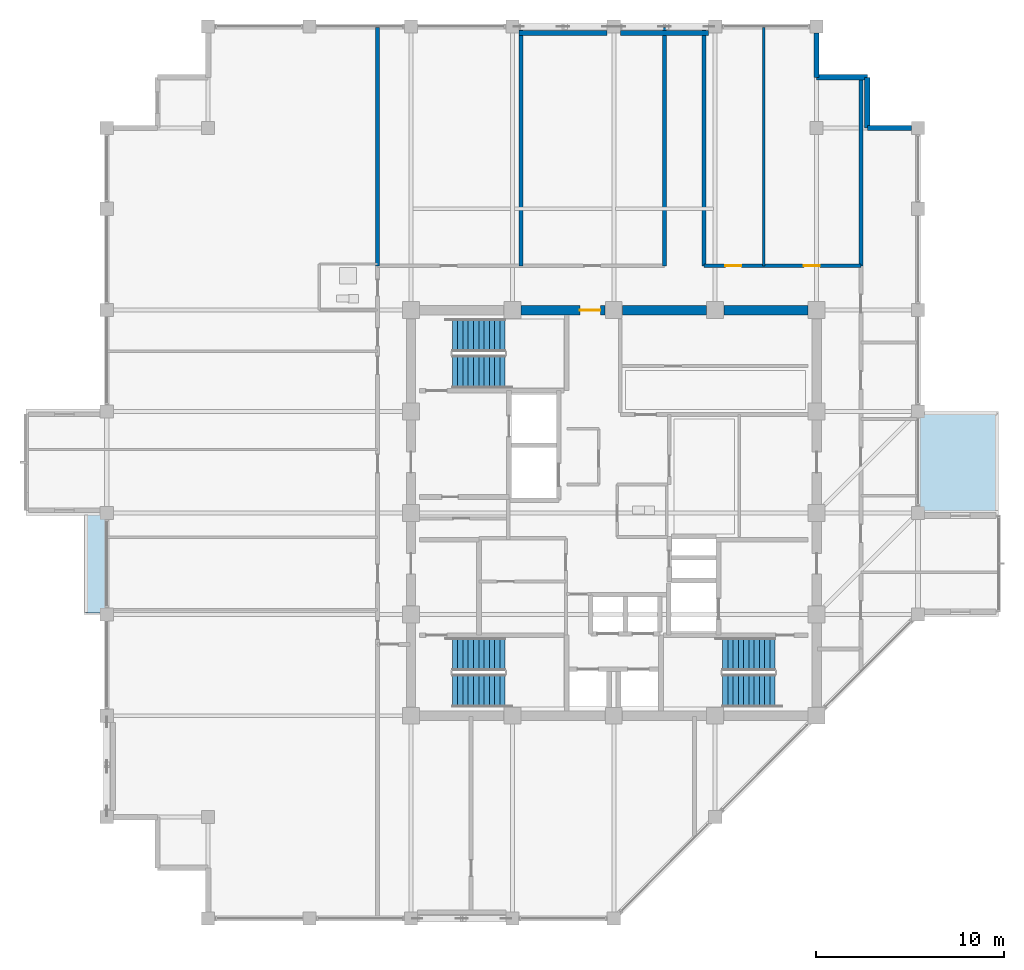
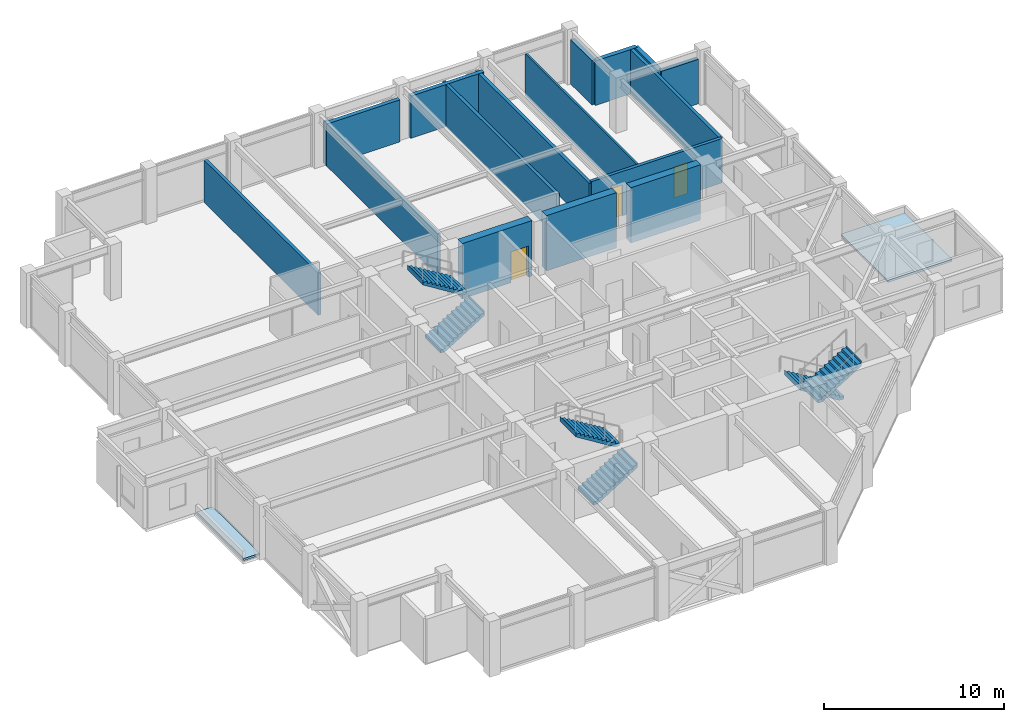
# One storey, part 28 of 31: 16 walls, 6 stair flights, 3 doors, 2 roofs, 3 openings, 3 elements without a shape of their own.
"""IFC4 building model written with IfcOpenShell, lengths in metres."""

from ifc_helpers import new_model, si_unit, direction, frame, frame_2d, origin, place, context, subcontext, project, spatial, polyline, rectangle, outline, extrude, material, layer, layer_set, type_object, element, fill, aggregate, save


model = new_model("IFC4")

# Units and contexts
model_context = context("Model", 3, precision=1e-05, world=origin(), true_north=direction((0.0, 1.0)))
body_context = subcontext(model_context, "Body", "Model", "MODEL_VIEW")
ifc_project = project(units=[si_unit("LENGTHUNIT", "METRE"), si_unit("AREAUNIT", "SQUARE_METRE"), si_unit("VOLUMEUNIT", "CUBIC_METRE"), si_unit("PLANEANGLEUNIT", "RADIAN"), si_unit("MASSUNIT", "GRAM", prefix="KILO")], contexts=[model_context])

# Site, building, storey
site_placement = place(None, origin())
site = spatial("IfcSite", under=ifc_project, at=site_placement, CompositionType="ELEMENT")
building_placement = place(site_placement, origin())
building = spatial("IfcBuilding", under=site, at=building_placement, Name="Surkhivell Harbour Commons", CompositionType="ELEMENT")
storey_placement = place(building_placement, frame((0.0, 0.0, 315.0)))
storey = spatial("IfcBuildingStorey", under=building, at=storey_placement, Name="L82", CompositionType="ELEMENT", Elevation=315.0)

# Wall, opening, door
ifc_material_1 = material(Name="Concrete C50/60", Category="concrete")
ifc_layer_1 = layer(ifc_material_1, 0.5)
ifc_layer_set_1 = layer_set([ifc_layer_1], Name="Concrete C50/60")
wall_type_1 = type_object("IfcWallType", Name="WAL-CORE-500", PredefinedType="SHEAR", material=ifc_layer_set_1)
wall_1_placement = place(storey_placement, frame((-4.93994140625, 10.800048828125, 0.0), z_axis=(0.0, 0.0, 1.0), x_axis=(1.0, 0.0, 0.0)))
wall_1 = element("IfcWall", 1, at=wall_1_placement, inside=storey, type_object=wall_type_1, Name="L82 Core Shear Wall North 2", PredefinedType="SHEAR", context=body_context, shape_type="SweptSolid", body=[
    extrude(rectangle(XDim=4.47998046875, YDim=0.5, at=frame_2d((2.239990234375, 0.0))), origin(), (0.0, 0.0, 1.0), 3.75),
])
opening_1_placement = place(wall_1_placement, frame((3.1298828125, 0.0, 0.0)))
opening_1 = element("IfcOpeningElement", 2, at=opening_1_placement, cuts=wall_1, Name="Opening ID-2", PredefinedType="OPENING", context=body_context, shape_type="SweptSolid", body=[
    extrude(rectangle(XDim=1.10009765625, YDim=2.10009765625, at=frame_2d((0.550048828125, 1.050048828125))), frame((0.0, 0.260009765625, 0.0), z_axis=(0.0, -1.0, 0.0), x_axis=(1.0, 0.0, 0.0)), (0.0, 0.0, 1.0), 0.52001953125),
])
ifc_material_2 = material(Name="Hardwood-veneered fire-rated door leaf", Category="wood")
door_type_1 = type_object("IfcDoorType", Name="DOR-FD60-1100", OperationType="NOTDEFINED", PredefinedType="DOOR", material=ifc_material_2)
door_1_placement = place(opening_1_placement, origin())
door_1 = element("IfcDoor", 3, at=door_1_placement, inside=storey, type_object=door_type_1, Name="L82 Central Core Lift Hall North Corridor Door", OperationType="SINGLE_SWING_LEFT", OverallHeight=2.10009765625, OverallWidth=1.10009765625, PredefinedType="DOOR", context=body_context, shape_type="SweptSolid", body=[
    extrude(rectangle(XDim=1.10009765625, YDim=2.10009765625, at=frame_2d((0.550048828125, 1.050048828125))), frame((0.0, 0.02490234375, 0.0), z_axis=(0.0, -1.0, 0.0), x_axis=(1.0, 0.0, 0.0)), (0.0, 0.0, 1.0), 0.050048828125),
])
fill(opening_1, door_1)

# Walls
for number, where, z_axis, x_axis, name in (
    (4, (0.4599609375, 10.800048828125, 0.0), (0.0, 0.0, 1.0), (1.0, 0.0, 0.0), "L82 Core Shear Wall North 3"),
    (5, (5.860107421875, 10.800048828125, 0.0), (0.0, 0.0, 1.0), (1.0, 0.0, 0.0), "L82 Core Shear Wall North 4"),
):
    element("IfcWall", number, at=place(storey_placement, frame(where, z_axis=z_axis, x_axis=x_axis)), inside=storey, type_object=wall_type_1, Name=name, PredefinedType="SHEAR", context=body_context, shape_type="SweptSolid", body=[
        extrude(rectangle(XDim=4.47998046875, YDim=0.5, at=frame_2d((2.239990234375, 0.0))), origin(), (0.0, 0.0, 1.0), 3.75),
    ])
ifc_material_3 = material(Name="Pale-metal insulated precast concrete C45/55", Category="concrete")
ifc_layer_2 = layer(ifc_material_3, 0.260009765625)
ifc_layer_set_2 = layer_set([ifc_layer_2], Name="Pale-metal insulated precast concrete C45/55")
wall_type_2 = type_object("IfcWallType", Name="WAL-EXT-MTL260", PredefinedType="STANDARD", material=ifc_layer_set_2)
for number, where, z_axis, x_axis, name in (
    (6, (-0.347900390625, 25.56494140625, 0.0), (0.0, 0.0, 1.0), (-1.0, 0.0, 0.0), "L82 Braced-Bay Insulated Spandrel Backing N"),
    (7, (5.052001953125, 25.56494140625, 0.0), (0.0, 0.0, 1.0), (-1.0, 0.0, 0.0), "L82 Braced-Bay Insulated Spandrel Backing N2"),
):
    element("IfcWall", number, at=place(storey_placement, frame(where, z_axis=z_axis, x_axis=x_axis)), inside=storey, type_object=wall_type_2, Name=name, PredefinedType="STANDARD", context=body_context, shape_type="SweptSolid", body=[
        extrude(rectangle(XDim=4.7041015625, YDim=0.260009765625, at=frame_2d((2.35205078125, 0.0))), origin(), (0.0, 0.0, 1.0), 2.85693359375),
    ])
ifc_material_4 = material(Name="Terracotta-clad reinforced concrete C45/55", Category="masonry")
ifc_layer_3 = layer(ifc_material_4, 0.280029296875)
ifc_layer_set_3 = layer_set([ifc_layer_3], Name="Terracotta-clad reinforced concrete C45/55")
wall_type_3 = type_object("IfcWallType", Name="WAL-EXT-TER280", PredefinedType="STANDARD", material=ifc_layer_set_3)
wall_2_placement = place(storey_placement, frame((15.85205078125, 20.5, 0.0), z_axis=(0.0, 0.0, 1.0), x_axis=(-1.0, 0.0, 0.0)))
element("IfcWall", 8, at=wall_2_placement, inside=storey, type_object=wall_type_3, Name="L82 Serrated Corner Facade Wall 03", PredefinedType="STANDARD", context=body_context, shape_type="SweptSolid", body=[
    extrude(rectangle(XDim=2.35205078125, YDim=0.280029296875, at=frame_2d((1.176025390625, 0.0))), origin(), (0.0, 0.0, 1.0), 3.012939453125),
])
for number, where, z_axis, x_axis, name in (
    (9, (13.5, 20.5, 0.0), (0.0, 0.0, 1.0), (0.0, 1.0, 0.0), "L82 Serrated Corner Facade Wall 04"),
    (10, (13.5, 23.199951171875, 0.0), (0.0, 0.0, 1.0), (-1.0, 0.0, 0.0), "L82 Serrated Corner Facade Wall 05"),
):
    element("IfcWall", number, at=place(storey_placement, frame(where, z_axis=z_axis, x_axis=x_axis)), inside=storey, type_object=wall_type_3, Name=name, PredefinedType="STANDARD", context=body_context, shape_type="SweptSolid", body=[
        extrude(rectangle(XDim=2.699951171875, YDim=0.280029296875, at=frame_2d((1.35009765625, 0.0))), origin(), (0.0, 0.0, 1.0), 3.012939453125),
    ])
wall_3_placement = place(storey_placement, frame((10.800048828125, 23.199951171875, 0.0), z_axis=(0.0, 0.0, 1.0), x_axis=(0.0, 1.0, 0.0)))
element("IfcWall", 11, at=wall_3_placement, inside=storey, type_object=wall_type_3, Name="L82 Serrated Corner Facade Wall 06", PredefinedType="STANDARD", context=body_context, shape_type="SweptSolid", body=[
    extrude(rectangle(XDim=2.35205078125, YDim=0.280029296875, at=frame_2d((1.176025390625, 0.0))), origin(), (0.0, 0.0, 1.0), 3.012939453125),
])
ifc_material_5 = material(Name="Moisture-resistant acoustic stud partition", Category="other")
ifc_layer_4 = layer(ifc_material_5, 0.125)
ifc_layer_set_4 = layer_set([ifc_layer_4], Name="Moisture-resistant acoustic stud partition")
wall_type_4 = type_object("IfcWallType", Name="WAL-INT-125", PredefinedType="PARTITIONING", material=ifc_layer_set_4)
wall_4_placement = place(storey_placement, frame((7.97998046875, 13.159912109375, 0.0), z_axis=(0.0, 0.0, 1.0), x_axis=(0.0, 1.0, 0.0)))
element("IfcWall", 12, at=wall_4_placement, inside=storey, type_object=wall_type_4, Name="L82 North-East Partition P1", PredefinedType="PARTITIONING", context=body_context, shape_type="SweptSolid", body=[
    extrude(rectangle(XDim=12.68017578125, YDim=0.125, at=frame_2d((6.340087890625, 0.0))), origin(), (0.0, 0.0, 1.0), 2.85693359375),
])
ifc_material_6 = material(Name="Autoclaved aerated concrete blockwork and fire plaster", Category="masonry")
ifc_layer_5 = layer(ifc_material_6, 0.199951171875)
ifc_layer_set_5 = layer_set([ifc_layer_5], Name="Autoclaved aerated concrete blockwork and fire plaster")
wall_type_5 = type_object("IfcWallType", Name="WAL-INT-200", PredefinedType="PARTITIONING", material=ifc_layer_set_5)
wall_5_placement = place(storey_placement, frame((13.159912109375, 13.159912109375, 0.0), z_axis=(0.0, 0.0, 1.0), x_axis=(0.0, 1.0, 0.0)))
element("IfcWall", 13, at=wall_5_placement, inside=storey, type_object=wall_type_5, Name="L82 North-East Corner Wall", PredefinedType="PARTITIONING", context=body_context, shape_type="SweptSolid", body=[
    extrude(rectangle(XDim=9.97998046875, YDim=0.199951171875, at=frame_2d((4.989990234375, 0.0))), origin(), (0.0, 0.0, 1.0), 3.012939453125),
])
wall_6_placement = place(storey_placement, frame((-12.580078125, 13.159912109375, 0.0), z_axis=(0.0, 0.0, 1.0), x_axis=(0.0, 1.0, 0.0)))
element("IfcWall", 14, at=wall_6_placement, inside=storey, type_object=wall_type_5, Name="L82 North-West Corner Wall", PredefinedType="PARTITIONING", context=body_context, shape_type="SweptSolid", body=[
    extrude(rectangle(XDim=12.68017578125, YDim=0.199951171875, at=frame_2d((6.340087890625, 0.0))), origin(), (0.0, 0.0, 1.0), 2.85693359375),
])

# Wall, openings, doors
wall_7_placement = place(storey_placement, frame((4.800048828125, 13.159912109375, 0.0), z_axis=(0.0, 0.0, 1.0), x_axis=(1.0, 0.0, 0.0)))
wall_7 = element("IfcWall", 15, at=wall_7_placement, inside=storey, type_object=wall_type_5, Name="L82 North-East Corridor Wall", PredefinedType="PARTITIONING", context=body_context, shape_type="SweptSolid", body=[
    extrude(rectangle(XDim=8.35986328125, YDim=0.199951171875, at=frame_2d((4.179931640625, 0.0))), origin(), (0.0, 0.0, 1.0), 3.012939453125),
])
opening_2_placement = place(wall_7_placement, frame((1.139892578125, 0.0, 0.0)))
opening_2 = element("IfcOpeningElement", 16, at=opening_2_placement, cuts=wall_7, Name="Opening ID-6", PredefinedType="OPENING", context=body_context, shape_type="SweptSolid", body=[
    extrude(rectangle(XDim=0.85009765625, YDim=2.10009765625, at=frame_2d((0.425048828125, 1.050048828125))), frame((0.0, 0.10986328125, 0.0), z_axis=(0.0, -1.0, 0.0), x_axis=(1.0, 0.0, 0.0)), (0.0, 0.0, 1.0), 0.219970703125),
])
opening_3_placement = place(wall_7_placement, frame((5.320068359375, 0.0, 0.0)))
opening_3 = element("IfcOpeningElement", 17, at=opening_3_placement, cuts=wall_7, Name="Opening ID-6", PredefinedType="OPENING", context=body_context, shape_type="SweptSolid", body=[
    extrude(rectangle(XDim=0.85009765625, YDim=2.10009765625, at=frame_2d((0.425048828125, 1.050048828125))), frame((0.0, 0.10986328125, 0.0), z_axis=(0.0, -1.0, 0.0), x_axis=(1.0, 0.0, 0.0)), (0.0, 0.0, 1.0), 0.219970703125),
])
door_type_2 = type_object("IfcDoorType", Name="DOR-FD30-850", OperationType="NOTDEFINED", PredefinedType="DOOR", material=ifc_material_2)
door_2_placement = place(opening_2_placement, origin())
door_2 = element("IfcDoor", 18, at=door_2_placement, inside=storey, type_object=door_type_2, Name="L82 Harbour Reading Library North-East Door", OperationType="SINGLE_SWING_RIGHT", OverallHeight=2.10009765625, OverallWidth=0.85009765625, PredefinedType="DOOR", context=body_context, shape_type="SweptSolid", body=[
    extrude(rectangle(XDim=0.85009765625, YDim=2.10009765625, at=frame_2d((0.425048828125, 1.050048828125))), frame((0.0, 0.02490234375, 0.0), z_axis=(0.0, -1.0, 0.0), x_axis=(1.0, 0.0, 0.0)), (0.0, 0.0, 1.0), 0.050048828125),
])
fill(opening_2, door_2)
door_3_placement = place(opening_3_placement, origin())
door_3 = element("IfcDoor", 19, at=door_3_placement, inside=storey, type_object=door_type_2, Name="L82 Communal Dining Hall North-East Door", OperationType="SINGLE_SWING_LEFT", OverallHeight=2.10009765625, OverallWidth=0.85009765625, PredefinedType="DOOR", context=body_context, shape_type="SweptSolid", body=[
    extrude(rectangle(XDim=0.85009765625, YDim=2.10009765625, at=frame_2d((0.425048828125, 1.050048828125))), frame((0.0, 0.02490234375, 0.0), z_axis=(0.0, -1.0, 0.0), x_axis=(1.0, 0.0, 0.0)), (0.0, 0.0, 1.0), 0.050048828125),
])
fill(opening_3, door_3)

# Walls
for number, where, z_axis, x_axis, name in (
    (20, (4.800048828125, 13.159912109375, 0.0), (0.0, 0.0, 1.0), (0.0, 1.0, 0.0), "L82 North Spur East Wall"),
    (21, (2.699951171875, 13.159912109375, 0.0), (0.0, 0.0, 1.0), (0.0, 1.0, 0.0), "L82 North Spur West Wall"),
    (22, (-4.93994140625, 13.159912109375, 0.0), (0.0, 0.0, 1.0), (0.0, 1.0, 0.0), "L82 North-West Partition P1"),
):
    element("IfcWall", number, at=place(storey_placement, frame(where, z_axis=z_axis, x_axis=x_axis)), inside=storey, type_object=wall_type_5, Name=name, PredefinedType="PARTITIONING", context=body_context, shape_type="SweptSolid", body=[
        extrude(rectangle(XDim=12.68017578125, YDim=0.199951171875, at=frame_2d((6.340087890625, 0.0))), origin(), (0.0, 0.0, 1.0), 2.85693359375),
    ])

# Stair, stair flights
ifc_material_7 = material(Name="Precast concrete C45/55", Category="concrete")
stair_type = type_object("IfcStairType", Name="STR-DL-375", PredefinedType="HALF_TURN_STAIR", material=ifc_material_7)
stair_1_placement = place(storey_placement, origin())
stair_1 = element("IfcStair", 23, at=stair_1_placement, inside=storey, type_object=stair_type, Name="L82 Core Exit Stair ST1", PredefinedType="HALF_TURN_STAIR")
stair_flight_type = type_object("IfcStairFlightType", Name="STF-DL-375", PredefinedType="STRAIGHT", material=ifc_material_7)
stair_flight_1_placement = place(storey_placement, frame((-8.590087890625, 7.514892578125, 0.0), z_axis=(0.0, 0.0, 1.0), x_axis=(1.0, 0.0, 0.0)))
stair_flight_1 = element("IfcStairFlight", 24, at=stair_flight_1_placement, type_object=stair_flight_type, Name="ST1 flight 1", NumberOfRisers=11, NumberOfTreads=10, PredefinedType="STRAIGHT", RiserHeight=0.170454545, TreadLength=0.28, context=body_context, shape_type="SweptSolid", body=[
    extrude(outline(polyline([(-0.0029296875, -0.034912109375), (-0.0029296875, 0.0), (0.0, 0.0), (0.0, 0.17041015625), (0.280029296875, 0.17041015625), (0.280029296875, 0.3408203125), (0.56005859375, 0.3408203125), (0.56005859375, 0.511474609375), (0.840087890625, 0.511474609375), (0.840087890625, 0.681884765625), (1.1201171875, 0.681884765625), (1.1201171875, 0.852294921875), (1.39990234375, 0.852294921875), (1.39990234375, 1.022705078125), (1.679931640625, 1.022705078125), (1.679931640625, 1.193115234375), (1.9599609375, 1.193115234375), (1.9599609375, 1.363525390625), (2.239990234375, 1.363525390625), (2.239990234375, 1.5341796875), (2.52001953125, 1.5341796875), (2.52001953125, 1.70458984375), (2.800048828125, 1.70458984375), (2.800048828125, 1.875), (2.802978515625, 1.875), (2.802978515625, 1.529052734375), (0.288330078125, -0.034912109375), (-0.0029296875, -0.034912109375)])), frame((0.0, 0.875, 0.0), z_axis=(0.0, -1.0, 0.0), x_axis=(1.0, 0.0, 0.0)), (0.0, 0.0, 1.0), 1.75),
])
stair_flight_2_placement = place(storey_placement, frame((-5.7900390625, 9.465087890625, 1.875), z_axis=(0.0, 0.0, 1.0), x_axis=(-1.0, 0.0, 0.0)))
stair_flight_2 = element("IfcStairFlight", 25, at=stair_flight_2_placement, type_object=stair_flight_type, Name="ST1 flight 2", NumberOfRisers=11, NumberOfTreads=10, PredefinedType="STRAIGHT", RiserHeight=0.170454545, TreadLength=0.28, context=body_context, shape_type="SweptSolid", body=[
    extrude(outline(polyline([(-0.0029296875, -0.034912109375), (-0.0029296875, 0.0), (0.0, 0.0), (0.0, 0.17041015625), (0.280029296875, 0.17041015625), (0.280029296875, 0.3408203125), (0.56005859375, 0.3408203125), (0.56005859375, 0.511474609375), (0.840087890625, 0.511474609375), (0.840087890625, 0.681884765625), (1.1201171875, 0.681884765625), (1.1201171875, 0.852294921875), (1.39990234375, 0.852294921875), (1.39990234375, 1.022705078125), (1.679931640625, 1.022705078125), (1.679931640625, 1.193115234375), (1.9599609375, 1.193115234375), (1.9599609375, 1.363525390625), (2.239990234375, 1.363525390625), (2.239990234375, 1.5341796875), (2.52001953125, 1.5341796875), (2.52001953125, 1.70458984375), (2.800048828125, 1.70458984375), (2.800048828125, 1.875), (2.802978515625, 1.875), (2.802978515625, 1.529052734375), (0.288330078125, -0.034912109375), (-0.0029296875, -0.034912109375)])), frame((0.0, 0.875, 0.0), z_axis=(0.0, -1.0, 0.0), x_axis=(1.0, 0.0, 0.0)), (0.0, 0.0, 1.0), 1.75),
])
aggregate(stair_1, [stair_flight_1, stair_flight_2])

stair_2_placement = place(storey_placement, origin())
stair_2 = element("IfcStair", 26, at=stair_2_placement, inside=storey, type_object=stair_type, Name="L82 Core Exit Stair ST2", PredefinedType="HALF_TURN_STAIR")
stair_flight_3_placement = place(storey_placement, frame((8.590087890625, -7.514892578125, 0.0), z_axis=(0.0, 0.0, 1.0), x_axis=(-1.0, 0.0, 0.0)))
stair_flight_3 = element("IfcStairFlight", 27, at=stair_flight_3_placement, type_object=stair_flight_type, Name="ST2 flight 1", NumberOfRisers=11, NumberOfTreads=10, PredefinedType="STRAIGHT", RiserHeight=0.170454545, TreadLength=0.28, context=body_context, shape_type="SweptSolid", body=[
    extrude(outline(polyline([(-0.0029296875, -0.034912109375), (-0.0029296875, 0.0), (0.0, 0.0), (0.0, 0.17041015625), (0.280029296875, 0.17041015625), (0.280029296875, 0.3408203125), (0.56005859375, 0.3408203125), (0.56005859375, 0.511474609375), (0.840087890625, 0.511474609375), (0.840087890625, 0.681884765625), (1.1201171875, 0.681884765625), (1.1201171875, 0.852294921875), (1.39990234375, 0.852294921875), (1.39990234375, 1.022705078125), (1.679931640625, 1.022705078125), (1.679931640625, 1.193115234375), (1.9599609375, 1.193115234375), (1.9599609375, 1.363525390625), (2.239990234375, 1.363525390625), (2.239990234375, 1.5341796875), (2.52001953125, 1.5341796875), (2.52001953125, 1.70458984375), (2.800048828125, 1.70458984375), (2.800048828125, 1.875), (2.802978515625, 1.875), (2.802978515625, 1.529052734375), (0.288330078125, -0.034912109375), (-0.0029296875, -0.034912109375)])), frame((0.0, 0.875, 0.0), z_axis=(0.0, -1.0, 0.0), x_axis=(1.0, 0.0, 0.0)), (0.0, 0.0, 1.0), 1.75),
])
stair_flight_4_placement = place(storey_placement, frame((5.7900390625, -9.465087890625, 1.875), z_axis=(0.0, 0.0, 1.0), x_axis=(1.0, 0.0, 0.0)))
stair_flight_4 = element("IfcStairFlight", 28, at=stair_flight_4_placement, type_object=stair_flight_type, Name="ST2 flight 2", NumberOfRisers=11, NumberOfTreads=10, PredefinedType="STRAIGHT", RiserHeight=0.170454545, TreadLength=0.28, context=body_context, shape_type="SweptSolid", body=[
    extrude(outline(polyline([(-0.0029296875, -0.034912109375), (-0.0029296875, 0.0), (0.0, 0.0), (0.0, 0.17041015625), (0.280029296875, 0.17041015625), (0.280029296875, 0.3408203125), (0.56005859375, 0.3408203125), (0.56005859375, 0.511474609375), (0.840087890625, 0.511474609375), (0.840087890625, 0.681884765625), (1.1201171875, 0.681884765625), (1.1201171875, 0.852294921875), (1.39990234375, 0.852294921875), (1.39990234375, 1.022705078125), (1.679931640625, 1.022705078125), (1.679931640625, 1.193115234375), (1.9599609375, 1.193115234375), (1.9599609375, 1.363525390625), (2.239990234375, 1.363525390625), (2.239990234375, 1.5341796875), (2.52001953125, 1.5341796875), (2.52001953125, 1.70458984375), (2.800048828125, 1.70458984375), (2.800048828125, 1.875), (2.802978515625, 1.875), (2.802978515625, 1.529052734375), (0.288330078125, -0.034912109375), (-0.0029296875, -0.034912109375)])), frame((0.0, 0.875, 0.0), z_axis=(0.0, -1.0, 0.0), x_axis=(1.0, 0.0, 0.0)), (0.0, 0.0, 1.0), 1.75),
])
aggregate(stair_2, [stair_flight_3, stair_flight_4])

stair_3_placement = place(storey_placement, origin())
stair_3 = element("IfcStair", 29, at=stair_3_placement, inside=storey, type_object=stair_type, Name="L82 Core Exit Stair ST3", PredefinedType="HALF_TURN_STAIR")
stair_flight_5_placement = place(storey_placement, frame((-8.590087890625, -9.465087890625, 0.0), z_axis=(0.0, 0.0, 1.0), x_axis=(1.0, 0.0, 0.0)))
stair_flight_5 = element("IfcStairFlight", 30, at=stair_flight_5_placement, type_object=stair_flight_type, Name="ST3 flight 1", NumberOfRisers=11, NumberOfTreads=10, PredefinedType="STRAIGHT", RiserHeight=0.170454545, TreadLength=0.28, context=body_context, shape_type="SweptSolid", body=[
    extrude(outline(polyline([(-0.0029296875, -0.034912109375), (-0.0029296875, 0.0), (0.0, 0.0), (0.0, 0.17041015625), (0.280029296875, 0.17041015625), (0.280029296875, 0.3408203125), (0.56005859375, 0.3408203125), (0.56005859375, 0.511474609375), (0.840087890625, 0.511474609375), (0.840087890625, 0.681884765625), (1.1201171875, 0.681884765625), (1.1201171875, 0.852294921875), (1.39990234375, 0.852294921875), (1.39990234375, 1.022705078125), (1.679931640625, 1.022705078125), (1.679931640625, 1.193115234375), (1.9599609375, 1.193115234375), (1.9599609375, 1.363525390625), (2.239990234375, 1.363525390625), (2.239990234375, 1.5341796875), (2.52001953125, 1.5341796875), (2.52001953125, 1.70458984375), (2.800048828125, 1.70458984375), (2.800048828125, 1.875), (2.802978515625, 1.875), (2.802978515625, 1.529052734375), (0.288330078125, -0.034912109375), (-0.0029296875, -0.034912109375)])), frame((0.0, 0.875, 0.0), z_axis=(0.0, -1.0, 0.0), x_axis=(1.0, 0.0, 0.0)), (0.0, 0.0, 1.0), 1.75),
])
stair_flight_6_placement = place(storey_placement, frame((-5.7900390625, -7.514892578125, 1.875), z_axis=(0.0, 0.0, 1.0), x_axis=(-1.0, 0.0, 0.0)))
stair_flight_6 = element("IfcStairFlight", 31, at=stair_flight_6_placement, type_object=stair_flight_type, Name="ST3 flight 2", NumberOfRisers=11, NumberOfTreads=10, PredefinedType="STRAIGHT", RiserHeight=0.170454545, TreadLength=0.28, context=body_context, shape_type="SweptSolid", body=[
    extrude(outline(polyline([(-0.0029296875, -0.034912109375), (-0.0029296875, 0.0), (0.0, 0.0), (0.0, 0.17041015625), (0.280029296875, 0.17041015625), (0.280029296875, 0.3408203125), (0.56005859375, 0.3408203125), (0.56005859375, 0.511474609375), (0.840087890625, 0.511474609375), (0.840087890625, 0.681884765625), (1.1201171875, 0.681884765625), (1.1201171875, 0.852294921875), (1.39990234375, 0.852294921875), (1.39990234375, 1.022705078125), (1.679931640625, 1.022705078125), (1.679931640625, 1.193115234375), (1.9599609375, 1.193115234375), (1.9599609375, 1.363525390625), (2.239990234375, 1.363525390625), (2.239990234375, 1.5341796875), (2.52001953125, 1.5341796875), (2.52001953125, 1.70458984375), (2.800048828125, 1.70458984375), (2.800048828125, 1.875), (2.802978515625, 1.875), (2.802978515625, 1.529052734375), (0.288330078125, -0.034912109375), (-0.0029296875, -0.034912109375)])), frame((0.0, 0.875, 0.0), z_axis=(0.0, -1.0, 0.0), x_axis=(1.0, 0.0, 0.0)), (0.0, 0.0, 1.0), 1.75),
])
aggregate(stair_3, [stair_flight_5, stair_flight_6])

# Roofs
ifc_material_8 = material(Name="Vermilion-coral and saffron enamelled aluminium box roof cap", Category="aluminium")
ifc_layer_6 = layer(ifc_material_8, 0.139892578125)
ifc_layer_set_6 = layer_set([ifc_layer_6], Name="Vermilion-coral and saffron enamelled aluminium box roof cap")
roof_type = type_object("IfcRoofType", Name="ROF-BOX-CAP", PredefinedType="FLAT_ROOF", material=ifc_layer_set_6)
roof_1_placement = place(storey_placement, origin())
element("IfcRoof", 32, at=roof_1_placement, inside=storey, type_object=roof_type, Name="L82 Closed Coloured Box Roof Cap 1-1", PredefinedType="FLAT_ROOF", context=body_context, shape_type="SweptSolid", body=[
    extrude(outline(polyline([(16.300048828125, 5.320068359375), (16.300048828125, 0.10009765625), (20.419921875, 0.10009765625), (20.419921875, 5.320068359375), (16.300048828125, 5.320068359375)])), origin(), (0.0, 0.0, 1.0), 0.139892578125),
])
roof_2_placement = place(storey_placement, origin())
element("IfcRoof", 33, at=roof_2_placement, inside=storey, type_object=roof_type, Name="L82 Closed Coloured Box Roof Cap 2-1", PredefinedType="FLAT_ROOF", context=body_context, shape_type="SweptSolid", body=[
    extrude(outline(polyline([(-27.10009765625, -5.320068359375), (-27.10009765625, -0.10009765625), (-28.1201171875, -0.10009765625), (-28.1201171875, -5.320068359375), (-27.10009765625, -5.320068359375)])), origin(), (0.0, 0.0, 1.0), 0.139892578125),
])

save(model, "model.ifc")
